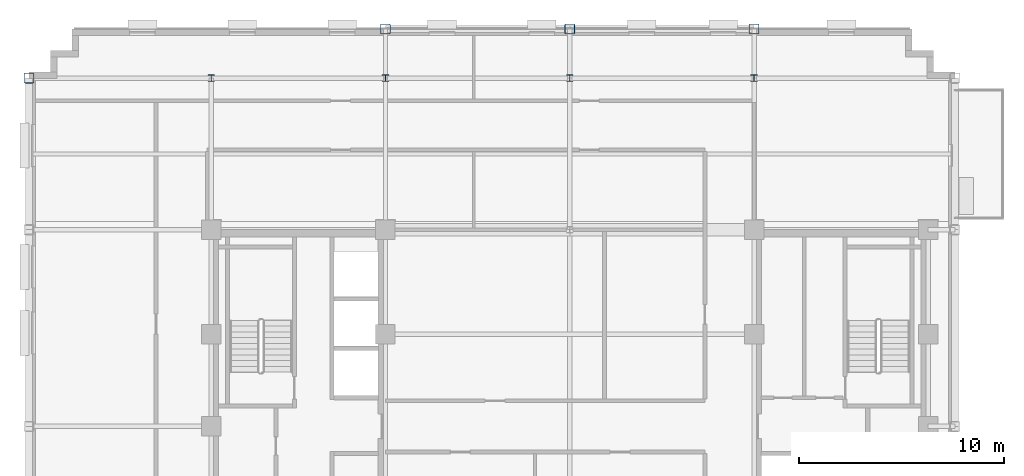
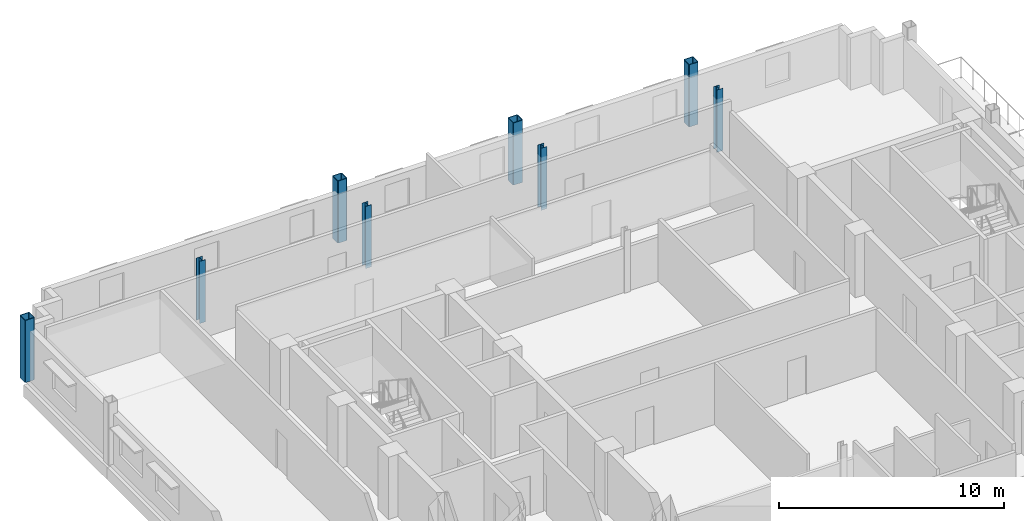
# One storey, part 3 of 13: 8 columns.
"""IFC4 building model written with IfcOpenShell, lengths in metres."""

from ifc_helpers import new_model, si_unit, direction, frame, origin, origin_2d, place, context, subcontext, project, spatial, hollow_rectangle, i_section, extrude, material, material_profile, profile_set, type_object, element, save


model = new_model("IFC4")

# Units and contexts
model_context = context("Model", 3, precision=1e-05, world=origin(), true_north=direction((0.0, 1.0)))
body_context = subcontext(model_context, "Body", "Model", "MODEL_VIEW")
ifc_project = project(units=[si_unit("LENGTHUNIT", "METRE"), si_unit("AREAUNIT", "SQUARE_METRE"), si_unit("VOLUMEUNIT", "CUBIC_METRE"), si_unit("PLANEANGLEUNIT", "RADIAN"), si_unit("MASSUNIT", "GRAM", prefix="KILO")], contexts=[model_context])

# Site, building, storey
site_placement = place(None, origin())
site = spatial("IfcSite", under=ifc_project, at=site_placement, CompositionType="ELEMENT")
building_placement = place(site_placement, origin())
building = spatial("IfcBuilding", under=site, at=building_placement, Name="Nuvemarco Arch Tower", CompositionType="ELEMENT")
storey_placement = place(building_placement, frame((0.0, 0.0, 212.800048828125)))
storey = spatial("IfcBuildingStorey", under=building, at=storey_placement, Name="L56", CompositionType="ELEMENT", Elevation=212.800048828125)

# Columns
ifc_material = material(Name="Steel S355", Category="steel")
ifc_material_profile_1 = material_profile(ifc_material, hollow_rectangle(XDim=0.5, YDim=0.5, WallThickness=0.031982421875, InnerFilletRadius=0.031982421875, OuterFilletRadius=0.06396484375, at=origin_2d()), Name="SHS500x500x32")
ifc_profile_set_1 = profile_set([ifc_material_profile_1], Name="Steel S355")
column_type_1 = type_object("IfcColumnType", Name="COL-EXO-500", PredefinedType="COLUMN", material=ifc_profile_set_1)
for number, where, z_axis, x_axis, name in (
    (1, (-26.39990234375, 17.0, 0.0), (0.0, 0.0, 1.0), (1.0, 0.0, 0.0), "L56 column CX_-26.4_+17.0"),
    (2, (-9.0, 19.39990234375, 0.0), (0.0, 0.0, 1.0), (1.0, 0.0, 0.0), "L56 column CY_-9.0_+19.4"),
    (3, (0.0, 19.39990234375, 0.0), (0.0, 0.0, 1.0), (1.0, 0.0, 0.0), "L56 column CY_+0.0_+19.4"),
    (4, (9.0, 19.39990234375, 0.0), (0.0, 0.0, 1.0), (1.0, 0.0, 0.0), "L56 column CY_+9.0_+19.4"),
):
    element("IfcColumn", number, at=place(storey_placement, frame(where, z_axis=z_axis, x_axis=x_axis)), inside=storey, type_object=column_type_1, Name=name, PredefinedType="COLUMN", context=body_context, shape_type="SweptSolid", body=[
        extrude(hollow_rectangle(XDim=0.5, YDim=0.5, WallThickness=0.031982421875, InnerFilletRadius=0.031982421875, OuterFilletRadius=0.06396484375, at=origin_2d()), origin(), (0.0, 0.0, 1.0), 3.369873046875),
    ])
ifc_material_profile_2 = material_profile(ifc_material, i_section(OverallWidth=0.31005859375, OverallDepth=0.31005859375, WebThickness=0.015380859375, FlangeThickness=0.015380859375, FilletRadius=0.014892578125, at=origin_2d()), Name="HP310x110")
ifc_profile_set_2 = profile_set([ifc_material_profile_2], Name="Steel S355")
column_type_2 = type_object("IfcColumnType", Name="COL-STL-HP310", PredefinedType="COLUMN", material=ifc_profile_set_2)
for number, where, z_axis, x_axis, name in (
    (5, (0.0, 17.0, 0.0), (0.0, 0.0, 1.0), (1.0, 0.0, 0.0), "L56 column CI_+0.0_+17.0"),
    (6, (-17.5, 17.0, 0.0), (0.0, 0.0, 1.0), (1.0, 0.0, 0.0), "L56 column CI_-17.5_+17.0"),
    (7, (-9.0, 17.0, 0.0), (0.0, 0.0, 1.0), (1.0, 0.0, 0.0), "L56 column CI_-9.0_+17.0"),
    (8, (9.0, 17.0, 0.0), (0.0, 0.0, 1.0), (1.0, 0.0, 0.0), "L56 column CI_+9.0_+17.0"),
):
    element("IfcColumn", number, at=place(storey_placement, frame(where, z_axis=z_axis, x_axis=x_axis)), inside=storey, type_object=column_type_2, Name=name, PredefinedType="COLUMN", context=body_context, shape_type="SweptSolid", body=[
        extrude(i_section(OverallWidth=0.31005859375, OverallDepth=0.31005859375, WebThickness=0.015380859375, FlangeThickness=0.015380859375, FilletRadius=0.014892578125, at=origin_2d()), origin(), (0.0, 0.0, 1.0), 3.369873046875),
    ])

save(model, "model.ifc")
